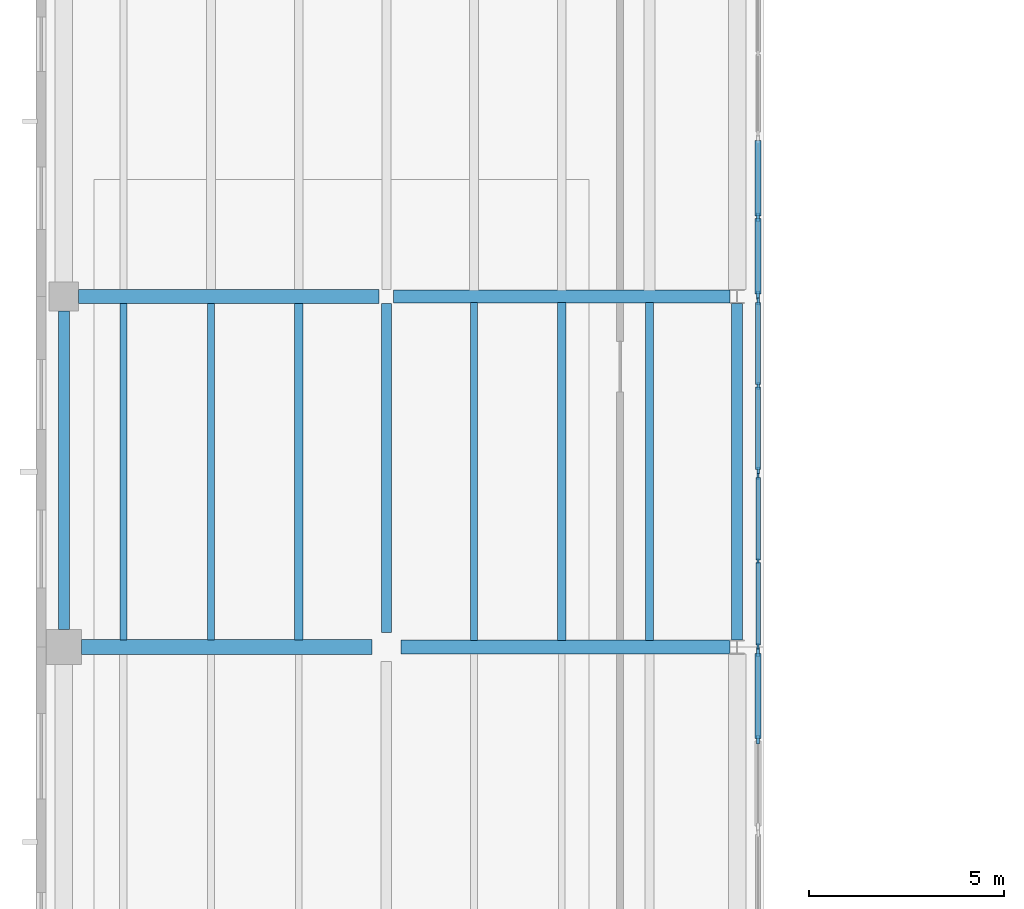
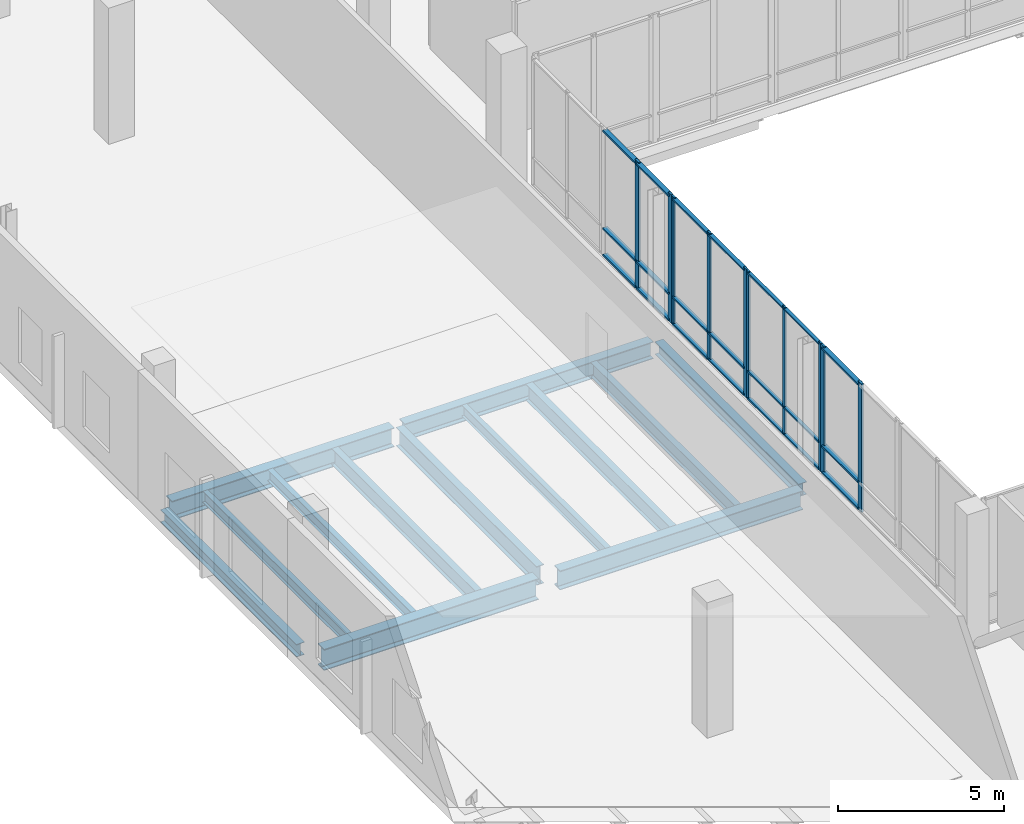
# One storey, part 36 of 88: 31 members, 13 beams, 4 elements without a shape of their own.
"""IFC4 building model written with IfcOpenShell, lengths in metres."""

import ifcopenshell
import ifcopenshell.guid

model = None  # the IFC model being written
_history = None  # IfcOwnerHistory: only IFC2X3 demands one
_inside = {}  # id of a spatial element -> (the spatial element, [elements in it])
_under = {}  # id of a project, library or spatial element -> (it, [spatial elements below it])
_declared = {}  # id of a project -> (the project, [libraries it declares])
_typed = {}  # id of a type object -> (the type object, [elements of that type])
_made_of = {}  # id of a material, layer set ... -> (it, [elements and type objects made of it])


def new_model(schema):
    """Start an empty IFC model of exactly this schema.

    Asked for "IFC4X3", IfcOpenShell would pick the latest addendum, in which some entities
    have other attributes; the version numbers below select the first issue.
    IFC2X3 requires an IfcOwnerHistory on every rooted entity: one is made here for all.
    """
    global model, _history
    if schema == "IFC4X3":
        model = ifcopenshell.file(schema_version=(4, 3, 0, 0))
    else:
        model = ifcopenshell.file(schema=schema)
    _inside.clear()
    _under.clear()
    _declared.clear()
    _typed.clear()
    _made_of.clear()
    _history = None
    if model.schema == "IFC2X3":
        org = make("IfcOrganization", Name="unknown")
        user = make(
            "IfcPersonAndOrganization",
            ThePerson=make("IfcPerson", FamilyName="unknown"),
            TheOrganization=org,
        )
        app = make(
            "IfcApplication",
            ApplicationDeveloper=org,
            Version="unknown",
            ApplicationFullName="unknown",
            ApplicationIdentifier="unknown",
        )
        _history = make(
            "IfcOwnerHistory",
            OwningUser=user,
            OwningApplication=app,
            ChangeAction="ADDED",
            CreationDate=0,
        )
    return model


def make(cls, **values):
    """One entity of the class cls with the attributes given. An attribute that is None is left unset."""
    return model.create_entity(
        cls, **{name: value for name, value in values.items() if value is not None}
    )


def rooted(cls, **values):
    """An entity with a GlobalId (a new one), such as an element, a storey or a relation."""
    return make(cls, GlobalId=ifcopenshell.guid.new(), OwnerHistory=_history, **values)


def si_unit(unit_type, name, prefix=None):
    """IfcSIUnit, for example si_unit("LENGTHUNIT", "METRE", prefix="MILLI")."""
    return make("IfcSIUnit", UnitType=unit_type, Prefix=prefix, Name=name)


def assignment(units):
    """IfcUnitAssignment: the units of a project."""
    return None if units is None else make("IfcUnitAssignment", Units=units)


def point(xyz):
    """IfcCartesianPoint."""
    return None if xyz is None else make("IfcCartesianPoint", Coordinates=xyz)


def direction(xyz):
    """IfcDirection."""
    return None if xyz is None else make("IfcDirection", DirectionRatios=xyz)


def frame(location, z_axis=None, x_axis=None):
    """IfcAxis2Placement3D, a coordinate frame: its origin and axes. An axis left out is left unset."""
    return make(
        "IfcAxis2Placement3D",
        Location=point(location),
        Axis=direction(z_axis),
        RefDirection=direction(x_axis),
    )


def frame_2d(location, x_axis=None):
    """IfcAxis2Placement2D, a coordinate frame in the plane: its origin and x axis."""
    return make(
        "IfcAxis2Placement2D", Location=point(location), RefDirection=direction(x_axis)
    )


def origin():
    """The frame at (0, 0, 0) with its axes left unset."""
    return frame((0.0, 0.0, 0.0))


def origin_2d():
    """The frame at (0, 0) in the plane with its x axis left unset."""
    return frame_2d((0.0, 0.0))


def place(relative_to, where):
    """IfcLocalPlacement: puts the frame where relative to a parent placement (None: the world)."""
    return make(
        "IfcLocalPlacement", PlacementRelTo=relative_to, RelativePlacement=where
    )


def context(
    kind, dimensions, precision=None, world=None, true_north=None, identifier=None
):
    """IfcGeometricRepresentationContext, for example the 3D "Model" context."""
    return make(
        "IfcGeometricRepresentationContext",
        ContextIdentifier=identifier,
        ContextType=kind,
        CoordinateSpaceDimension=dimensions,
        Precision=precision,
        WorldCoordinateSystem=world,
        TrueNorth=true_north,
    )


def subcontext(parent, identifier, kind, view, scale=None):
    """IfcGeometricRepresentationSubContext, for example "Body" below "Model"."""
    return make(
        "IfcGeometricRepresentationSubContext",
        ContextIdentifier=identifier,
        ContextType=kind,
        ParentContext=parent,
        TargetScale=scale,
        TargetView=view,
    )


def project(units=None, contexts=None):
    """IfcProject with its units and contexts."""
    return rooted(
        "IfcProject",
        Name="project",
        RepresentationContexts=contexts,
        UnitsInContext=assignment(units),
    )


def spatial(cls, under=None, at=None, **own):
    """A site, building, storey or space (cls), placed at a placement, below another one or the project."""
    s = rooted(cls, ObjectPlacement=at, **own)
    if under is not None:
        _under.setdefault(under.id(), (under, []))[1].append(s)
    return s


def profile(cls, at=None, kind="AREA", **sizes):
    """A parametric profile (cls). Its sizes go by their IFC names, for example OverallWidth=200.0."""
    return make(cls, ProfileType=kind, Position=at, **sizes)


def rectangle(**sizes):
    """IfcRectangleProfileDef."""
    return profile("IfcRectangleProfileDef", **sizes)


def i_section(**sizes):
    """IfcIShapeProfileDef."""
    return profile("IfcIShapeProfileDef", **sizes)


def extrude(swept, where, along, depth):
    """IfcExtrudedAreaSolid: the profile swept, set in the frame where, extruded along a direction by depth."""
    return make(
        "IfcExtrudedAreaSolid",
        SweptArea=swept,
        Position=where,
        ExtrudedDirection=direction(along),
        Depth=depth,
    )


def shape(context_of_items, identifier, shape_type, items):
    """IfcShapeRepresentation: the items that make up one representation, for example the "Body"."""
    return make(
        "IfcShapeRepresentation",
        ContextOfItems=context_of_items,
        RepresentationIdentifier=identifier,
        RepresentationType=shape_type,
        Items=items,
    )


def material(Name=None, Category=None):
    """IfcMaterial."""
    return make("IfcMaterial", Name=Name, Category=Category)


def material_profile(
    of_material, cross_section, Name=None, Category=None, Priority=None
):
    """IfcMaterialProfile: a cross section and its material."""
    return make(
        "IfcMaterialProfile",
        Name=Name,
        Material=of_material,
        Profile=cross_section,
        Priority=Priority,
        Category=Category,
    )


def profile_set(profiles, Name=None, composite=None):
    """IfcMaterialProfileSet."""
    return make(
        "IfcMaterialProfileSet",
        Name=Name,
        MaterialProfiles=profiles,
        CompositeProfile=composite,
    )


def made_of(thing, what):
    """Note that an element or type object is made of a material, layer set ...; save() writes the relation."""
    if what is not None:
        _made_of.setdefault(what.id(), (what, []))[1].append(thing)
    return thing


def type_object(cls, material=None, **own):
    """A type object (cls), such as IfcWallType, which elements share."""
    return made_of(rooted(cls, **own), material)


def element(
    cls,
    number,
    at=None,
    inside=None,
    cuts=None,
    type_object=None,
    material=None,
    context=None,
    identifier="Body",
    shape_type=None,
    held_by="IfcProductDefinitionShape",
    body=None,
    shapes=None,
    **own,
):
    """One element of the class cls, such as IfcWall. Its Tag is "e" and its number.

    at: its placement. inside: the storey or other place that contains it. cuts: it is an
    opening in that element (IfcRelVoidsElement). A single representation is given by context,
    identifier, shape_type and body (its items); several are given by shapes. held_by: the class
    of the entity that holds the representations. save() writes the other relations.
    """
    e = rooted(cls, Tag="e%d" % number, ObjectPlacement=at, **own)
    if body is not None:
        shapes = [shape(context, identifier, shape_type, body)]
    if shapes is not None:
        e.Representation = make(held_by, Representations=shapes)
    if inside is not None:
        _inside.setdefault(inside.id(), (inside, []))[1].append(e)
    if cuts is not None:
        rooted(
            "IfcRelVoidsElement", RelatingBuildingElement=cuts, RelatedOpeningElement=e
        )
    if type_object is not None:
        _typed.setdefault(type_object.id(), (type_object, []))[1].append(e)
    return made_of(e, material)


def aggregate(whole, parts):
    """IfcRelAggregates: a whole, such as a stair, and the parts it consists of."""
    return rooted("IfcRelAggregates", RelatingObject=whole, RelatedObjects=parts)


def save(model, path):
    """Write the relations noted so far, then the file.

    IfcRelAggregates (storeys below a building ...), IfcRelContainedInSpatialStructure (elements
    in a storey), IfcRelDefinesByType, IfcRelAssociatesMaterial and IfcRelDeclares: one each for
    every whole, place, type object, material and project.
    """
    for whole, parts in _under.values():
        aggregate(whole, parts)
    for where, things in _inside.values():
        rooted(
            "IfcRelContainedInSpatialStructure",
            RelatedElements=things,
            RelatingStructure=where,
        )
    for kind, things in _typed.values():
        rooted("IfcRelDefinesByType", RelatedObjects=things, RelatingType=kind)
    for what, things in _made_of.values():
        rooted("IfcRelAssociatesMaterial", RelatedObjects=things, RelatingMaterial=what)
    for by, libraries in _declared.values():
        rooted("IfcRelDeclares", RelatingContext=by, RelatedDefinitions=libraries)
    model.write(path)


model = new_model("IFC4")

# Units and contexts
model_context = context("Model", 3, precision=1e-05, world=origin(), true_north=direction((0.0, 1.0)))
body_context = subcontext(model_context, "Body", "Model", "MODEL_VIEW")
ifc_project = project(units=[si_unit("LENGTHUNIT", "METRE"), si_unit("AREAUNIT", "SQUARE_METRE"), si_unit("VOLUMEUNIT", "CUBIC_METRE"), si_unit("PLANEANGLEUNIT", "RADIAN"), si_unit("MASSUNIT", "GRAM", prefix="KILO")], contexts=[model_context])

# Site, building, storey
site_placement = place(None, origin())
site = spatial("IfcSite", under=ifc_project, at=site_placement, CompositionType="ELEMENT")
building_placement = place(site_placement, origin())
building = spatial("IfcBuilding", under=site, at=building_placement, Name="Trimount Lyric Opera House", CompositionType="ELEMENT")
storey_placement = place(building_placement, origin())
storey = spatial("IfcBuildingStorey", under=building, at=storey_placement, Name="L00", CompositionType="ELEMENT", Elevation=0.0)

# Beams
ifc_material_1 = material(Name="Steel ASTM A992 Grade 50", Category="steel")
ifc_material_profile_1 = material_profile(ifc_material_1, i_section(OverallWidth=0.382080078125, OverallDepth=0.779052734375, WebThickness=0.01806640625, FlangeThickness=0.0302734375, FilletRadius=0.01904296875, at=origin_2d()), Name="W30X191")
ifc_profile_set_1 = profile_set([ifc_material_profile_1], Name="Steel ASTM A992 Grade 50")
beam_type_1 = type_object("IfcBeamType", Name="B-06", PredefinedType="BEAM", material=ifc_profile_set_1)
beam_1_placement = place(storey_placement, frame((1.169921875, 84.0, -0.739501953125), z_axis=(1.0, 0.0, 0.0), x_axis=(0.0, 1.0, 0.0)))
element("IfcBeam", 1, at=beam_1_placement, inside=storey, type_object=beam_type_1, Name="L00 girder X-0160", PredefinedType="BEAM", context=body_context, shape_type="SweptSolid", body=[
    extrude(i_section(OverallWidth=0.382080078125, OverallDepth=0.779052734375, WebThickness=0.01806640625, FlangeThickness=0.0302734375, FilletRadius=0.01904296875, at=origin_2d()), origin(), (0.0, 0.0, 1.0), 7.455078125),
])
ifc_material_2 = material(Name="Steel ASTM A992 Grade 50", Category="steel")
ifc_material_profile_2 = material_profile(ifc_material_2, i_section(OverallWidth=0.35595703125, OverallDepth=0.700927734375, WebThickness=0.016845703125, FlangeThickness=0.02734375, FilletRadius=0.01806640625, at=origin_2d()), Name="W27X161")
ifc_profile_set_2 = profile_set([ifc_material_profile_2], Name="Steel ASTM A992 Grade 50")
beam_type_2 = type_object("IfcBeamType", Name="B-08", PredefinedType="BEAM", material=ifc_profile_set_2)
beam_2_placement = place(storey_placement, frame((9.375, 84.0, -0.700439453125), z_axis=(1.0, 0.0, 0.0), x_axis=(0.0, 1.0, 0.0)))
element("IfcBeam", 2, at=beam_2_placement, inside=storey, type_object=beam_type_2, Name="L00 girder X-0161", PredefinedType="BEAM", context=body_context, shape_type="SweptSolid", body=[
    extrude(i_section(OverallWidth=0.35595703125, OverallDepth=0.700927734375, WebThickness=0.016845703125, FlangeThickness=0.02734375, FilletRadius=0.01806640625, at=origin_2d()), origin(), (0.0, 0.0, 1.0), 8.44091796875),
])
beam_3_placement = place(storey_placement, frame((1.094970703125, 93.0, -0.700439453125), z_axis=(1.0, 0.0, 0.0), x_axis=(0.0, 1.0, 0.0)))
element("IfcBeam", 3, at=beam_3_placement, inside=storey, type_object=beam_type_2, Name="L00 girder X-0173", PredefinedType="BEAM", context=body_context, shape_type="SweptSolid", body=[
    extrude(i_section(OverallWidth=0.35595703125, OverallDepth=0.700927734375, WebThickness=0.016845703125, FlangeThickness=0.02734375, FilletRadius=0.01806640625, at=origin_2d()), origin(), (0.0, 0.0, 1.0), 7.720947265625),
])
ifc_material_3 = material(Name="Steel ASTM A992 Grade 50", Category="steel")
ifc_material_profile_3 = material_profile(ifc_material_3, i_section(OverallWidth=0.25390625, OverallDepth=0.68798828125, WebThickness=0.01318359375, FlangeThickness=0.02099609375, FilletRadius=0.01611328125, at=origin_2d()), Name="W27X102")
ifc_profile_set_3 = profile_set([ifc_material_profile_3], Name="Steel ASTM A992 Grade 50")
beam_type_3 = type_object("IfcBeamType", Name="B-09", PredefinedType="BEAM", material=ifc_profile_set_3)
beam_4_placement = place(storey_placement, frame((9.0, 84.375, -0.694091796875), z_axis=(0.0, 1.0, 0.0), x_axis=(-1.0, 0.0, 0.0)))
element("IfcBeam", 4, at=beam_4_placement, inside=storey, type_object=beam_type_3, Name="L00 girder Y-0259", PredefinedType="BEAM", context=body_context, shape_type="SweptSolid", body=[
    extrude(i_section(OverallWidth=0.25390625, OverallDepth=0.68798828125, WebThickness=0.01318359375, FlangeThickness=0.02099609375, FilletRadius=0.01611328125, at=origin_2d()), origin(), (0.0, 0.0, 1.0), 8.447021484375),
])
ifc_material_4 = material(Name="Steel ASTM A992 Grade 50", Category="steel")
ifc_material_profile_4 = material_profile(ifc_material_4, i_section(OverallWidth=0.327880859375, OverallDepth=0.626953125, WebThickness=0.0166015625, FlangeThickness=0.027587890625, FilletRadius=0.01611328125, at=origin_2d()), Name="W24X146")
ifc_profile_set_4 = profile_set([ifc_material_profile_4], Name="Steel ASTM A992 Grade 50")
beam_type_4 = type_object("IfcBeamType", Name="B-10", PredefinedType="BEAM", material=ifc_profile_set_4)
beam_5_placement = place(storey_placement, frame((9.18408203125, 93.0, -0.66357421875), z_axis=(1.0, 0.0, 0.0), x_axis=(0.0, 1.0, 0.0)))
element("IfcBeam", 5, at=beam_5_placement, inside=storey, type_object=beam_type_4, Name="L00 girder X-0174", PredefinedType="BEAM", context=body_context, shape_type="SweptSolid", body=[
    extrude(i_section(OverallWidth=0.327880859375, OverallDepth=0.626953125, WebThickness=0.0166015625, FlangeThickness=0.027587890625, FilletRadius=0.01611328125, at=origin_2d()), origin(), (0.0, 0.0, 1.0), 8.62939453125),
])
ifc_material_5 = material(Name="Steel ASTM A992 Grade 50", Category="steel")
ifc_material_profile_5 = material_profile(ifc_material_5, i_section(OverallWidth=0.22802734375, OverallDepth=0.60205078125, WebThickness=0.010498046875, FlangeThickness=0.014892578125, FilletRadius=0.012939453125, at=origin_2d()), Name="W24X68")
ifc_profile_set_5 = profile_set([ifc_material_profile_5], Name="Steel ASTM A992 Grade 50")
beam_type_5 = type_object("IfcBeamType", Name="J-01", PredefinedType="BEAM", material=ifc_profile_set_5)
beam_6_placement = place(storey_placement, frame((6.75, 84.18701171875, -0.65087890625), z_axis=(0.0, 1.0, 0.0), x_axis=(-1.0, 0.0, 0.0)))
element("IfcBeam", 6, at=beam_6_placement, inside=storey, type_object=beam_type_5, Name="L00 composite floor joist 0030", PredefinedType="BEAM", context=body_context, shape_type="SweptSolid", body=[
    extrude(i_section(OverallWidth=0.22802734375, OverallDepth=0.60205078125, WebThickness=0.010498046875, FlangeThickness=0.014892578125, FilletRadius=0.012939453125, at=origin_2d()), origin(), (0.0, 0.0, 1.0), 8.638916015625),
])
beam_7_placement = place(storey_placement, frame((13.5, 84.174072265625, -0.65087890625), z_axis=(0.0, 1.0, 0.0), x_axis=(-1.0, 0.0, 0.0)))
element("IfcBeam", 7, at=beam_7_placement, inside=storey, type_object=beam_type_5, Name="L00 composite floor joist 0056", PredefinedType="BEAM", context=body_context, shape_type="SweptSolid", body=[
    extrude(i_section(OverallWidth=0.22802734375, OverallDepth=0.60205078125, WebThickness=0.010498046875, FlangeThickness=0.014892578125, FilletRadius=0.012939453125, at=origin_2d()), origin(), (0.0, 0.0, 1.0), 8.666015625),
])
ifc_material_6 = material(Name="Steel ASTM A992 Grade 50", Category="steel")
ifc_material_profile_6 = material_profile(ifc_material_6, i_section(OverallWidth=0.2099609375, OverallDepth=0.532958984375, WebThickness=0.01025390625, FlangeThickness=0.015625, FilletRadius=0.012939453125, at=origin_2d()), Name="W21X62")
ifc_profile_set_6 = profile_set([ifc_material_profile_6], Name="Steel ASTM A992 Grade 50")
beam_type_6 = type_object("IfcBeamType", Name="J-02", PredefinedType="BEAM", material=ifc_profile_set_6)
beam_8_placement = place(storey_placement, frame((15.75, 84.174072265625, -0.616455078125), z_axis=(0.0, 1.0, 0.0), x_axis=(-1.0, 0.0, 0.0)))
element("IfcBeam", 8, at=beam_8_placement, inside=storey, type_object=beam_type_6, Name="L00 composite floor joist 0057", PredefinedType="BEAM", context=body_context, shape_type="SweptSolid", body=[
    extrude(i_section(OverallWidth=0.2099609375, OverallDepth=0.532958984375, WebThickness=0.01025390625, FlangeThickness=0.015625, FilletRadius=0.012939453125, at=origin_2d()), origin(), (0.0, 0.0, 1.0), 8.666015625),
])
ifc_material_7 = material(Name="Steel ASTM A992 Grade 50", Category="steel")
ifc_material_profile_7 = material_profile(ifc_material_7, i_section(OverallWidth=0.180908203125, OverallDepth=0.4169921875, WebThickness=0.010986328125, FlangeThickness=0.018310546875, FilletRadius=0.010986328125, at=origin_2d()), Name="W16X57")
ifc_profile_set_7 = profile_set([ifc_material_profile_7], Name="Steel ASTM A992 Grade 50")
beam_type_7 = type_object("IfcBeamType", Name="J-05", PredefinedType="BEAM", material=ifc_profile_set_7)
beam_9_placement = place(storey_placement, frame((2.25, 84.18701171875, -0.55859375), z_axis=(0.0, 1.0, 0.0), x_axis=(-1.0, 0.0, 0.0)))
element("IfcBeam", 9, at=beam_9_placement, inside=storey, type_object=beam_type_7, Name="L00 composite floor joist 0028", PredefinedType="BEAM", context=body_context, shape_type="SweptSolid", body=[
    extrude(i_section(OverallWidth=0.180908203125, OverallDepth=0.4169921875, WebThickness=0.010986328125, FlangeThickness=0.018310546875, FilletRadius=0.010986328125, at=origin_2d()), origin(), (0.0, 0.0, 1.0), 8.638916015625),
])
ifc_material_8 = material(Name="Steel ASTM A992 Grade 50", Category="steel")
ifc_material_profile_8 = material_profile(ifc_material_8, i_section(OverallWidth=0.177978515625, OverallDepth=0.404052734375, WebThickness=0.007568359375, FlangeThickness=0.010986328125, FilletRadius=0.010009765625, at=origin_2d()), Name="W16X36")
ifc_profile_set_8 = profile_set([ifc_material_profile_8], Name="Steel ASTM A992 Grade 50")
beam_type_8 = type_object("IfcBeamType", Name="J-06", PredefinedType="BEAM", material=ifc_profile_set_8)
beam_10_placement = place(storey_placement, frame((4.5, 84.18701171875, -0.552001953125), z_axis=(0.0, 1.0, 0.0), x_axis=(-1.0, 0.0, 0.0)))
element("IfcBeam", 10, at=beam_10_placement, inside=storey, type_object=beam_type_8, Name="L00 composite floor joist 0029", PredefinedType="BEAM", context=body_context, shape_type="SweptSolid", body=[
    extrude(i_section(OverallWidth=0.177978515625, OverallDepth=0.404052734375, WebThickness=0.007568359375, FlangeThickness=0.010986328125, FilletRadius=0.010009765625, at=origin_2d()), origin(), (0.0, 0.0, 1.0), 8.638916015625),
])
beam_11_placement = place(storey_placement, frame((11.25, 84.174072265625, -0.552001953125), z_axis=(0.0, 1.0, 0.0), x_axis=(-1.0, 0.0, 0.0)))
element("IfcBeam", 11, at=beam_11_placement, inside=storey, type_object=beam_type_8, Name="L00 composite floor joist 0055", PredefinedType="BEAM", context=body_context, shape_type="SweptSolid", body=[
    extrude(i_section(OverallWidth=0.177978515625, OverallDepth=0.404052734375, WebThickness=0.007568359375, FlangeThickness=0.010986328125, FilletRadius=0.010009765625, at=origin_2d()), origin(), (0.0, 0.0, 1.0), 8.666015625),
])

# Curtain wall, members
ifc_material_9 = material(Name="Thermally Broken Aluminium and Low-E Glass", Category="aluminium")
curtain_wall_type = type_object("IfcCurtainWallType", Name="CW-03", PredefinedType="NOTDEFINED", material=ifc_material_9)
curtain_wall_1_placement = place(storey_placement, origin())
curtain_wall_1 = element("IfcCurtainWall", 12, at=curtain_wall_1_placement, inside=storey, type_object=curtain_wall_type, Name="L00 curtain wall 072", PredefinedType="NOTDEFINED")
ifc_material_10 = material(Name="Anodised Aluminium 6063-T6", Category="aluminium")
ifc_material_profile_9 = material_profile(ifc_material_10, rectangle(XDim=0.070068359375, YDim=0.219970703125, at=origin_2d()), Name="ALU-MULL-70X220")
ifc_profile_set_9 = profile_set([ifc_material_profile_9], Name="Anodised Aluminium 6063-T6")
member_type_1 = type_object("IfcMemberType", Name="ML-01", PredefinedType="MULLION", material=ifc_profile_set_9)
member_1_placement = place(storey_placement, frame((18.5400390625, 95.034912109375, 0.0), z_axis=(0.0, 0.0, 1.0), x_axis=(1.0, 0.0, 0.0)))
member_1 = element("IfcMember", 13, at=member_1_placement, type_object=member_type_1, Name="CW-03 mullion 2", PredefinedType="MULLION", context=body_context, shape_type="SweptSolid", body=[
    extrude(rectangle(XDim=0.070068359375, YDim=0.219970703125, at=origin_2d()), origin(), (0.0, 0.0, 1.0), 4.719970703125),
])
member_2_placement = place(storey_placement, frame((18.5400390625, 93.034912109375, 0.0), z_axis=(0.0, 0.0, 1.0), x_axis=(1.0, 0.0, 0.0)))
member_2 = element("IfcMember", 14, at=member_2_placement, type_object=member_type_1, Name="CW-03 mullion 3", PredefinedType="MULLION", context=body_context, shape_type="SweptSolid", body=[
    extrude(rectangle(XDim=0.070068359375, YDim=0.219970703125, at=origin_2d()), origin(), (0.0, 0.0, 1.0), 4.719970703125),
])

curtain_wall_2_placement = place(storey_placement, origin())
curtain_wall_2 = element("IfcCurtainWall", 15, at=curtain_wall_2_placement, inside=storey, type_object=curtain_wall_type, Name="L00 curtain wall 075", PredefinedType="NOTDEFINED")
member_3_placement = place(storey_placement, frame((18.5400390625, 83.875, 0.0), z_axis=(0.0, 0.0, 1.0), x_axis=(1.0, 0.0, 0.0)))
member_3 = element("IfcMember", 16, at=member_3_placement, type_object=member_type_1, Name="CW-03 mullion 1", PredefinedType="MULLION", context=body_context, shape_type="SweptSolid", body=[
    extrude(rectangle(XDim=0.070068359375, YDim=0.219970703125, at=origin_2d()), origin(), (0.0, 0.0, 1.0), 4.719970703125),
])
member_4_placement = place(storey_placement, frame((18.5400390625, 81.625, 0.0), z_axis=(0.0, 0.0, 1.0), x_axis=(1.0, 0.0, 0.0)))
member_4 = element("IfcMember", 17, at=member_4_placement, type_object=member_type_1, Name="CW-03 mullion 2", PredefinedType="MULLION", context=body_context, shape_type="SweptSolid", body=[
    extrude(rectangle(XDim=0.070068359375, YDim=0.219970703125, at=origin_2d()), origin(), (0.0, 0.0, 1.0), 4.719970703125),
])

curtain_wall_3_placement = place(storey_placement, origin())
curtain_wall_3 = element("IfcCurtainWall", 18, at=curtain_wall_3_placement, inside=storey, type_object=curtain_wall_type, Name="L00 curtain wall 073", PredefinedType="NOTDEFINED")
ifc_material_11 = material(Name="Anodised Aluminium 6063-T6", Category="aluminium")
ifc_material_profile_10 = material_profile(ifc_material_11, rectangle(XDim=0.06494140625, YDim=0.179931640625, at=origin_2d()), Name="ALU-MULL-65X180")
ifc_profile_set_10 = profile_set([ifc_material_profile_10], Name="Anodised Aluminium 6063-T6")
member_type_2 = type_object("IfcMemberType", Name="ML-02", PredefinedType="MULLION", material=ifc_profile_set_10)
member_5_placement = place(storey_placement, frame((18.5400390625, 92.87744140625, 0.0), z_axis=(0.0, 0.0, 1.0), x_axis=(1.0, 0.0, 0.0)))
member_5 = element("IfcMember", 19, at=member_5_placement, type_object=member_type_2, Name="CW-03 mullion 1", PredefinedType="MULLION", context=body_context, shape_type="SweptSolid", body=[
    extrude(rectangle(XDim=0.06494140625, YDim=0.179931640625, at=origin_2d()), origin(), (0.0, 0.0, 1.0), 4.719970703125),
])
member_6_placement = place(storey_placement, frame((18.5400390625, 90.705078125, 0.0), z_axis=(0.0, 0.0, 1.0), x_axis=(1.0, 0.0, 0.0)))
member_6 = element("IfcMember", 20, at=member_6_placement, type_object=member_type_2, Name="CW-03 mullion 2", PredefinedType="MULLION", context=body_context, shape_type="SweptSolid", body=[
    extrude(rectangle(XDim=0.06494140625, YDim=0.179931640625, at=origin_2d()), origin(), (0.0, 0.0, 1.0), 4.719970703125),
])
member_7_placement = place(storey_placement, frame((18.5400390625, 88.532470703125, 0.0), z_axis=(0.0, 0.0, 1.0), x_axis=(1.0, 0.0, 0.0)))
member_7 = element("IfcMember", 21, at=member_7_placement, type_object=member_type_2, Name="CW-03 mullion 3", PredefinedType="MULLION", context=body_context, shape_type="SweptSolid", body=[
    extrude(rectangle(XDim=0.06494140625, YDim=0.179931640625, at=origin_2d()), origin(), (0.0, 0.0, 1.0), 4.719970703125),
])

curtain_wall_4_placement = place(storey_placement, origin())
curtain_wall_4 = element("IfcCurtainWall", 22, at=curtain_wall_4_placement, inside=storey, type_object=curtain_wall_type, Name="L00 curtain wall 074", PredefinedType="NOTDEFINED")
ifc_material_12 = material(Name="Anodised Aluminium 6063-T6", Category="aluminium")
ifc_material_profile_11 = material_profile(ifc_material_12, rectangle(XDim=0.06005859375, YDim=0.14990234375, at=origin_2d()), Name="ALU-MULL-60X150")
ifc_profile_set_11 = profile_set([ifc_material_profile_11], Name="Anodised Aluminium 6063-T6")
member_type_3 = type_object("IfcMemberType", Name="ML-03", PredefinedType="MULLION", material=ifc_profile_set_11)
member_8_placement = place(storey_placement, frame((18.5400390625, 88.3798828125, 0.0), z_axis=(0.0, 0.0, 1.0), x_axis=(1.0, 0.0, 0.0)))
member_8 = element("IfcMember", 23, at=member_8_placement, type_object=member_type_3, Name="CW-03 mullion 1", PredefinedType="MULLION", context=body_context, shape_type="SweptSolid", body=[
    extrude(rectangle(XDim=0.06005859375, YDim=0.14990234375, at=origin_2d()), origin(), (0.0, 0.0, 1.0), 4.719970703125),
])
member_9_placement = place(storey_placement, frame((18.5400390625, 86.205078125, 0.0), z_axis=(0.0, 0.0, 1.0), x_axis=(1.0, 0.0, 0.0)))
member_9 = element("IfcMember", 24, at=member_9_placement, type_object=member_type_3, Name="CW-03 mullion 2", PredefinedType="MULLION", context=body_context, shape_type="SweptSolid", body=[
    extrude(rectangle(XDim=0.06005859375, YDim=0.14990234375, at=origin_2d()), origin(), (0.0, 0.0, 1.0), 4.719970703125),
])
member_10_placement = place(storey_placement, frame((18.5400390625, 84.030029296875, 0.0), z_axis=(0.0, 0.0, 1.0), x_axis=(1.0, 0.0, 0.0)))
member_10 = element("IfcMember", 25, at=member_10_placement, type_object=member_type_3, Name="CW-03 mullion 3", PredefinedType="MULLION", context=body_context, shape_type="SweptSolid", body=[
    extrude(rectangle(XDim=0.06005859375, YDim=0.14990234375, at=origin_2d()), origin(), (0.0, 0.0, 1.0), 4.719970703125),
])

# Beams
ifc_material_13 = material(Name="Steel ASTM A992 Grade 50", Category="steel")
ifc_material_profile_12 = material_profile(ifc_material_13, i_section(OverallWidth=0.281982421875, OverallDepth=0.467041015625, WebThickness=0.01220703125, FlangeThickness=0.01953125, FilletRadius=0.012939453125, at=origin_2d()), Name="W18X86")
ifc_profile_set_12 = profile_set([ifc_material_profile_12], Name="Steel ASTM A992 Grade 50")
beam_type_9 = type_object("IfcBeamType", Name="SP-01", PredefinedType="SPANDREL", material=ifc_profile_set_12)
beam_12_placement = place(storey_placement, frame((0.719970703125, 84.449951171875, -0.58349609375), z_axis=(0.0, 1.0, 0.0), x_axis=(-1.0, 0.0, 0.0)))
element("IfcBeam", 26, at=beam_12_placement, inside=storey, type_object=beam_type_9, Name="L00 girder Y-0246", PredefinedType="SPANDREL", context=body_context, shape_type="SweptSolid", body=[
    extrude(i_section(OverallWidth=0.281982421875, OverallDepth=0.467041015625, WebThickness=0.01220703125, FlangeThickness=0.01953125, FilletRadius=0.012939453125, at=origin_2d()), origin(), (0.0, 0.0, 1.0), 8.175048828125),
])
beam_13_placement = place(storey_placement, frame((18.0, 84.177978515625, -0.58349609375), z_axis=(0.0, 1.0, 0.0), x_axis=(-1.0, 0.0, 0.0)))
element("IfcBeam", 27, at=beam_13_placement, inside=storey, type_object=beam_type_9, Name="L00 girder Y-0268", PredefinedType="SPANDREL", context=body_context, shape_type="SweptSolid", body=[
    extrude(i_section(OverallWidth=0.281982421875, OverallDepth=0.467041015625, WebThickness=0.01220703125, FlangeThickness=0.01953125, FilletRadius=0.012939453125, at=origin_2d()), origin(), (0.0, 0.0, 1.0), 8.637939453125),
])

# Member
ifc_material_14 = material(Name="Anodised Aluminium 6063-T6", Category="aluminium")
ifc_material_profile_13 = material_profile(ifc_material_14, rectangle(XDim=0.159912109375, YDim=0.070068359375, at=origin_2d()), Name="ALU-TRAN-70X160")
ifc_profile_set_13 = profile_set([ifc_material_profile_13], Name="Anodised Aluminium 6063-T6")
member_type_4 = type_object("IfcMemberType", Name="TR-01", PredefinedType="USERDEFINED", material=ifc_profile_set_13)
member_11_placement = place(storey_placement, frame((18.5400390625, 97.0, 0.080078125), z_axis=(0.0, -1.0, 0.0), x_axis=(1.0, 0.0, 0.0)))
member_11 = element("IfcMember", 28, at=member_11_placement, type_object=member_type_4, Name="CW-03 transom 1.1", ObjectType="TRANSOM", PredefinedType="USERDEFINED", context=body_context, shape_type="SweptSolid", body=[
    extrude(rectangle(XDim=0.159912109375, YDim=0.070068359375, at=origin_2d()), origin(), (0.0, 0.0, 1.0), 1.929931640625),
])

member_12_placement = place(storey_placement, frame((18.5400390625, 97.0, 1.050048828125), z_axis=(0.0, -1.0, 0.0), x_axis=(1.0, 0.0, 0.0)))
member_12 = element("IfcMember", 29, at=member_12_placement, type_object=member_type_4, Name="CW-03 transom 1.2", ObjectType="TRANSOM", PredefinedType="USERDEFINED", context=body_context, shape_type="SweptSolid", body=[
    extrude(rectangle(XDim=0.159912109375, YDim=0.070068359375, at=origin_2d()), origin(), (0.0, 0.0, 1.0), 1.929931640625),
])

member_13_placement = place(storey_placement, frame((18.5400390625, 97.0, 4.639892578125), z_axis=(0.0, -1.0, 0.0), x_axis=(1.0, 0.0, 0.0)))
member_13 = element("IfcMember", 30, at=member_13_placement, type_object=member_type_4, Name="CW-03 transom 1.3", ObjectType="TRANSOM", PredefinedType="USERDEFINED", context=body_context, shape_type="SweptSolid", body=[
    extrude(rectangle(XDim=0.159912109375, YDim=0.070068359375, at=origin_2d()), origin(), (0.0, 0.0, 1.0), 1.929931640625),
])

member_14_placement = place(storey_placement, frame((18.5400390625, 95.0, 0.080078125), z_axis=(0.0, -1.0, 0.0), x_axis=(1.0, 0.0, 0.0)))
member_14 = element("IfcMember", 31, at=member_14_placement, type_object=member_type_4, Name="CW-03 transom 2.1", ObjectType="TRANSOM", PredefinedType="USERDEFINED", context=body_context, shape_type="SweptSolid", body=[
    extrude(rectangle(XDim=0.159912109375, YDim=0.070068359375, at=origin_2d()), origin(), (0.0, 0.0, 1.0), 1.929931640625),
])

member_15_placement = place(storey_placement, frame((18.5400390625, 95.0, 1.050048828125), z_axis=(0.0, -1.0, 0.0), x_axis=(1.0, 0.0, 0.0)))
member_15 = element("IfcMember", 32, at=member_15_placement, type_object=member_type_4, Name="CW-03 transom 2.2", ObjectType="TRANSOM", PredefinedType="USERDEFINED", context=body_context, shape_type="SweptSolid", body=[
    extrude(rectangle(XDim=0.159912109375, YDim=0.070068359375, at=origin_2d()), origin(), (0.0, 0.0, 1.0), 1.929931640625),
])

member_16_placement = place(storey_placement, frame((18.5400390625, 95.0, 4.639892578125), z_axis=(0.0, -1.0, 0.0), x_axis=(1.0, 0.0, 0.0)))
member_16 = element("IfcMember", 33, at=member_16_placement, type_object=member_type_4, Name="CW-03 transom 2.3", ObjectType="TRANSOM", PredefinedType="USERDEFINED", context=body_context, shape_type="SweptSolid", body=[
    extrude(rectangle(XDim=0.159912109375, YDim=0.070068359375, at=origin_2d()), origin(), (0.0, 0.0, 1.0), 1.929931640625),
])

aggregate(curtain_wall_1, [member_1, member_2, member_11, member_12, member_13, member_14, member_15, member_16])

member_17_placement = place(storey_placement, frame((18.5400390625, 83.840087890625, 0.080078125), z_axis=(0.0, -1.0, 0.0), x_axis=(1.0, 0.0, 0.0)))
member_17 = element("IfcMember", 34, at=member_17_placement, type_object=member_type_4, Name="CW-03 transom 1.1", ObjectType="TRANSOM", PredefinedType="USERDEFINED", context=body_context, shape_type="SweptSolid", body=[
    extrude(rectangle(XDim=0.159912109375, YDim=0.070068359375, at=origin_2d()), origin(), (0.0, 0.0, 1.0), 2.18017578125),
])

member_18_placement = place(storey_placement, frame((18.5400390625, 83.840087890625, 1.050048828125), z_axis=(0.0, -1.0, 0.0), x_axis=(1.0, 0.0, 0.0)))
member_18 = element("IfcMember", 35, at=member_18_placement, type_object=member_type_4, Name="CW-03 transom 1.2", ObjectType="TRANSOM", PredefinedType="USERDEFINED", context=body_context, shape_type="SweptSolid", body=[
    extrude(rectangle(XDim=0.159912109375, YDim=0.070068359375, at=origin_2d()), origin(), (0.0, 0.0, 1.0), 2.18017578125),
])

member_19_placement = place(storey_placement, frame((18.5400390625, 83.840087890625, 4.639892578125), z_axis=(0.0, -1.0, 0.0), x_axis=(1.0, 0.0, 0.0)))
member_19 = element("IfcMember", 36, at=member_19_placement, type_object=member_type_4, Name="CW-03 transom 1.3", ObjectType="TRANSOM", PredefinedType="USERDEFINED", context=body_context, shape_type="SweptSolid", body=[
    extrude(rectangle(XDim=0.159912109375, YDim=0.070068359375, at=origin_2d()), origin(), (0.0, 0.0, 1.0), 2.18017578125),
])

aggregate(curtain_wall_2, [member_3, member_4, member_17, member_18, member_19])

ifc_material_15 = material(Name="Anodised Aluminium 6063-T6", Category="aluminium")
ifc_material_profile_14 = material_profile(ifc_material_15, rectangle(XDim=0.135009765625, YDim=0.06494140625, at=origin_2d()), Name="ALU-TRAN-65X135")
ifc_profile_set_14 = profile_set([ifc_material_profile_14], Name="Anodised Aluminium 6063-T6")
member_type_5 = type_object("IfcMemberType", Name="TR-02", PredefinedType="USERDEFINED", material=ifc_profile_set_14)
member_20_placement = place(storey_placement, frame((18.5400390625, 92.844970703125, 0.0673828125), z_axis=(0.0, -1.0, 0.0), x_axis=(1.0, 0.0, 0.0)))
member_20 = element("IfcMember", 37, at=member_20_placement, type_object=member_type_5, Name="CW-03 transom 1.1", ObjectType="TRANSOM", PredefinedType="USERDEFINED", context=body_context, shape_type="SweptSolid", body=[
    extrude(rectangle(XDim=0.135009765625, YDim=0.06494140625, at=origin_2d()), origin(), (0.0, 0.0, 1.0), 2.107421875),
])

member_21_placement = place(storey_placement, frame((18.5400390625, 92.844970703125, 1.050048828125), z_axis=(0.0, -1.0, 0.0), x_axis=(1.0, 0.0, 0.0)))
member_21 = element("IfcMember", 38, at=member_21_placement, type_object=member_type_5, Name="CW-03 transom 1.2", ObjectType="TRANSOM", PredefinedType="USERDEFINED", context=body_context, shape_type="SweptSolid", body=[
    extrude(rectangle(XDim=0.135009765625, YDim=0.06494140625, at=origin_2d()), origin(), (0.0, 0.0, 1.0), 2.107421875),
])

member_22_placement = place(storey_placement, frame((18.5400390625, 92.844970703125, 4.652587890625), z_axis=(0.0, -1.0, 0.0), x_axis=(1.0, 0.0, 0.0)))
member_22 = element("IfcMember", 39, at=member_22_placement, type_object=member_type_5, Name="CW-03 transom 1.3", ObjectType="TRANSOM", PredefinedType="USERDEFINED", context=body_context, shape_type="SweptSolid", body=[
    extrude(rectangle(XDim=0.135009765625, YDim=0.06494140625, at=origin_2d()), origin(), (0.0, 0.0, 1.0), 2.107421875),
])

member_23_placement = place(storey_placement, frame((18.5400390625, 90.672607421875, 0.0673828125), z_axis=(0.0, -1.0, 0.0), x_axis=(1.0, 0.0, 0.0)))
member_23 = element("IfcMember", 40, at=member_23_placement, type_object=member_type_5, Name="CW-03 transom 2.1", ObjectType="TRANSOM", PredefinedType="USERDEFINED", context=body_context, shape_type="SweptSolid", body=[
    extrude(rectangle(XDim=0.135009765625, YDim=0.06494140625, at=origin_2d()), origin(), (0.0, 0.0, 1.0), 2.107666015625),
])

member_24_placement = place(storey_placement, frame((18.5400390625, 90.672607421875, 1.050048828125), z_axis=(0.0, -1.0, 0.0), x_axis=(1.0, 0.0, 0.0)))
member_24 = element("IfcMember", 41, at=member_24_placement, type_object=member_type_5, Name="CW-03 transom 2.2", ObjectType="TRANSOM", PredefinedType="USERDEFINED", context=body_context, shape_type="SweptSolid", body=[
    extrude(rectangle(XDim=0.135009765625, YDim=0.06494140625, at=origin_2d()), origin(), (0.0, 0.0, 1.0), 2.107666015625),
])

member_25_placement = place(storey_placement, frame((18.5400390625, 90.672607421875, 4.652587890625), z_axis=(0.0, -1.0, 0.0), x_axis=(1.0, 0.0, 0.0)))
member_25 = element("IfcMember", 42, at=member_25_placement, type_object=member_type_5, Name="CW-03 transom 2.3", ObjectType="TRANSOM", PredefinedType="USERDEFINED", context=body_context, shape_type="SweptSolid", body=[
    extrude(rectangle(XDim=0.135009765625, YDim=0.06494140625, at=origin_2d()), origin(), (0.0, 0.0, 1.0), 2.107666015625),
])

aggregate(curtain_wall_3, [member_5, member_6, member_7, member_20, member_21, member_22, member_23, member_24, member_25])

ifc_material_16 = material(Name="Anodised Aluminium 6063-T6", Category="aluminium")
ifc_material_profile_15 = material_profile(ifc_material_16, rectangle(XDim=0.114990234375, YDim=0.06005859375, at=origin_2d()), Name="ALU-TRAN-60X115")
ifc_profile_set_15 = profile_set([ifc_material_profile_15], Name="Anodised Aluminium 6063-T6")
member_type_6 = type_object("IfcMemberType", Name="TR-03", PredefinedType="USERDEFINED", material=ifc_profile_set_15)
member_26_placement = place(storey_placement, frame((18.5400390625, 88.35009765625, 0.0576171875), z_axis=(0.0, -1.0, 0.0), x_axis=(1.0, 0.0, 0.0)))
member_26 = element("IfcMember", 43, at=member_26_placement, type_object=member_type_6, Name="CW-03 transom 1.1", ObjectType="TRANSOM", PredefinedType="USERDEFINED", context=body_context, shape_type="SweptSolid", body=[
    extrude(rectangle(XDim=0.114990234375, YDim=0.06005859375, at=origin_2d()), origin(), (0.0, 0.0, 1.0), 2.114990234375),
])

member_27_placement = place(storey_placement, frame((18.5400390625, 88.35009765625, 1.050048828125), z_axis=(0.0, -1.0, 0.0), x_axis=(1.0, 0.0, 0.0)))
member_27 = element("IfcMember", 44, at=member_27_placement, type_object=member_type_6, Name="CW-03 transom 1.2", ObjectType="TRANSOM", PredefinedType="USERDEFINED", context=body_context, shape_type="SweptSolid", body=[
    extrude(rectangle(XDim=0.114990234375, YDim=0.06005859375, at=origin_2d()), origin(), (0.0, 0.0, 1.0), 2.114990234375),
])

member_28_placement = place(storey_placement, frame((18.5400390625, 88.35009765625, 4.66259765625), z_axis=(0.0, -1.0, 0.0), x_axis=(1.0, 0.0, 0.0)))
member_28 = element("IfcMember", 45, at=member_28_placement, type_object=member_type_6, Name="CW-03 transom 1.3", ObjectType="TRANSOM", PredefinedType="USERDEFINED", context=body_context, shape_type="SweptSolid", body=[
    extrude(rectangle(XDim=0.114990234375, YDim=0.06005859375, at=origin_2d()), origin(), (0.0, 0.0, 1.0), 2.114990234375),
])

member_29_placement = place(storey_placement, frame((18.5400390625, 86.175048828125, 0.0576171875), z_axis=(0.0, -1.0, 0.0), x_axis=(1.0, 0.0, 0.0)))
member_29 = element("IfcMember", 46, at=member_29_placement, type_object=member_type_6, Name="CW-03 transom 2.1", ObjectType="TRANSOM", PredefinedType="USERDEFINED", context=body_context, shape_type="SweptSolid", body=[
    extrude(rectangle(XDim=0.114990234375, YDim=0.06005859375, at=origin_2d()), origin(), (0.0, 0.0, 1.0), 2.114990234375),
])

member_30_placement = place(storey_placement, frame((18.5400390625, 86.175048828125, 1.050048828125), z_axis=(0.0, -1.0, 0.0), x_axis=(1.0, 0.0, 0.0)))
member_30 = element("IfcMember", 47, at=member_30_placement, type_object=member_type_6, Name="CW-03 transom 2.2", ObjectType="TRANSOM", PredefinedType="USERDEFINED", context=body_context, shape_type="SweptSolid", body=[
    extrude(rectangle(XDim=0.114990234375, YDim=0.06005859375, at=origin_2d()), origin(), (0.0, 0.0, 1.0), 2.114990234375),
])

member_31_placement = place(storey_placement, frame((18.5400390625, 86.175048828125, 4.66259765625), z_axis=(0.0, -1.0, 0.0), x_axis=(1.0, 0.0, 0.0)))
member_31 = element("IfcMember", 48, at=member_31_placement, type_object=member_type_6, Name="CW-03 transom 2.3", ObjectType="TRANSOM", PredefinedType="USERDEFINED", context=body_context, shape_type="SweptSolid", body=[
    extrude(rectangle(XDim=0.114990234375, YDim=0.06005859375, at=origin_2d()), origin(), (0.0, 0.0, 1.0), 2.114990234375),
])

aggregate(curtain_wall_4, [member_8, member_9, member_10, member_26, member_27, member_28, member_29, member_30, member_31])

save(model, "model.ifc")
